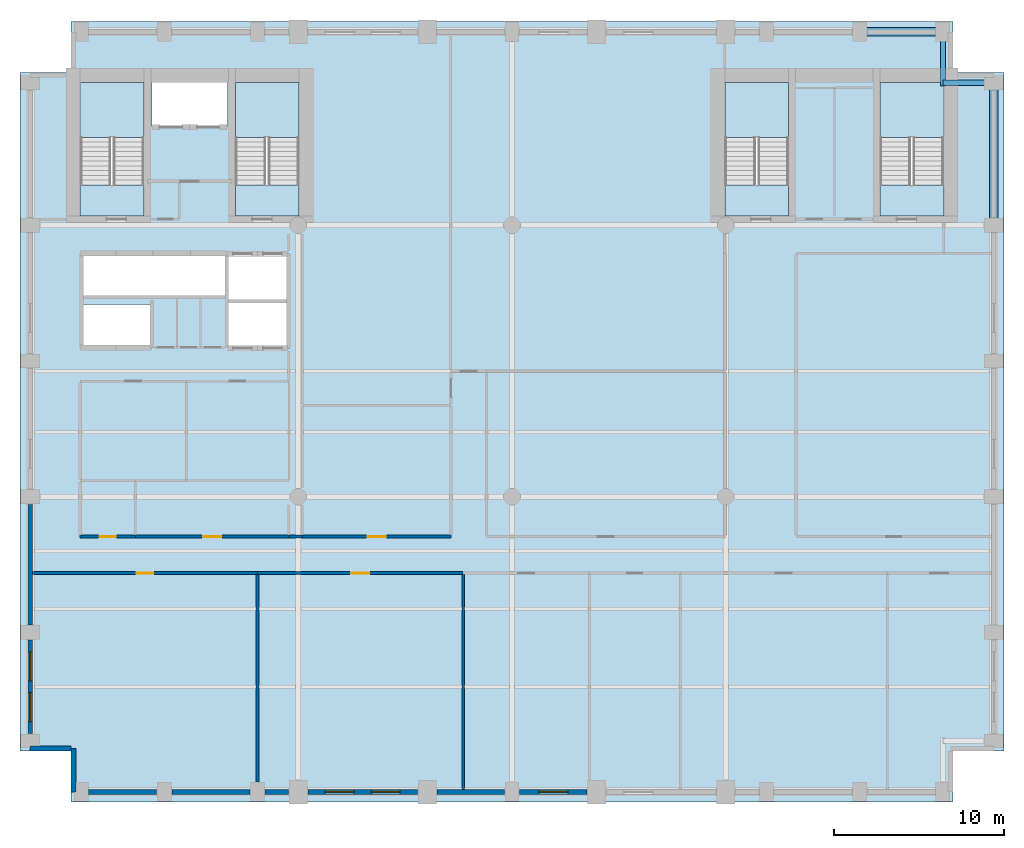
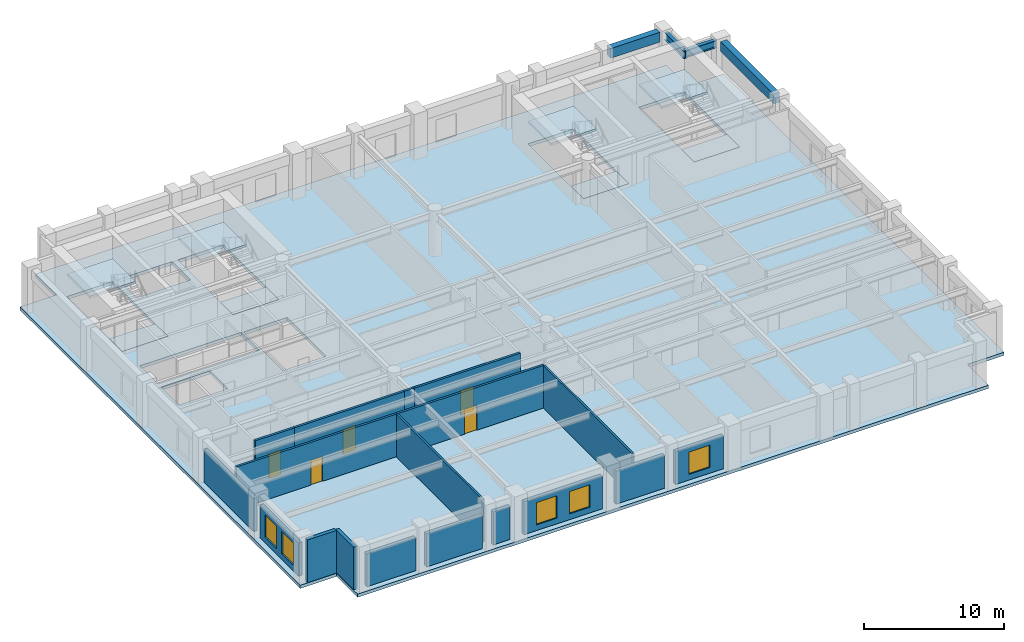
# One storey, part 2 of 8: 18 walls, 9 slabs, 5 doors, 5 windows, 4 beams, 10 openings, 4 elements without a shape of their own.
"""IFC4 building model written with IfcOpenShell, lengths in metres."""

from ifc_helpers import new_model, si_unit, direction, frame, frame_2d, origin, origin_2d, place, context, subcontext, project, spatial, polyline, rectangle, i_section, outline, extrude, material, layer, layer_set, material_profile, profile_set, type_object, element, fill, aggregate, save


model = new_model("IFC4")

# Units and contexts
model_context = context("Model", 3, precision=1e-05, world=origin(), true_north=direction((0.0, 1.0)))
body_context = subcontext(model_context, "Body", "Model", "MODEL_VIEW")
ifc_project = project(units=[si_unit("LENGTHUNIT", "METRE"), si_unit("AREAUNIT", "SQUARE_METRE"), si_unit("VOLUMEUNIT", "CUBIC_METRE"), si_unit("PLANEANGLEUNIT", "RADIAN"), si_unit("MASSUNIT", "GRAM", prefix="KILO")], contexts=[model_context])

# Site, building, storey
site_placement = place(None, origin())
site = spatial("IfcSite", under=ifc_project, at=site_placement, CompositionType="ELEMENT")
building_placement = place(site_placement, origin())
building = spatial("IfcBuilding", under=site, at=building_placement, Name="Sulina Concourse Tower", CompositionType="ELEMENT")
storey_placement = place(building_placement, frame((0.0, 0.0, 112.60009765625)))
storey = spatial("IfcBuildingStorey", under=building, at=storey_placement, Name="L27", CompositionType="ELEMENT", Elevation=112.60009765625)

# Beams
ifc_material_1 = material(Name="Steel S355", Category="steel")
ifc_material_profile_1 = material_profile(ifc_material_1, i_section(OverallWidth=0.300048828125, OverallDepth=0.64990234375, WebThickness=0.01611328125, FlangeThickness=0.031005859375, at=origin_2d()), Name="HE 650 B")
ifc_profile_set_1 = profile_set([ifc_material_profile_1], Name="Steel S355")
beam_type_1 = type_object("IfcBeamType", Name="Floor Primary Girder Zone 2 HE650B", PredefinedType="BEAM", material=ifc_profile_set_1)
beam_1_placement = place(storey_placement, frame((54.39990234375, 42.39990234375, 3.39990234375), z_axis=(1.0, 0.0, 0.0), x_axis=(0.0, 1.0, 0.0)))
element("IfcBeam", 1, at=beam_1_placement, inside=storey, type_object=beam_type_1, Name="TIE-NE-L27", PredefinedType="BEAM", context=body_context, shape_type="SweptSolid", body=[
    extrude(i_section(OverallWidth=0.300048828125, OverallDepth=0.64990234375, WebThickness=0.01611328125, FlangeThickness=0.031005859375, at=origin_2d()), origin(), (0.0, 0.0, 1.0), 2.59521484375),
])
beam_2_placement = place(storey_placement, frame((54.39990234375, 42.199951171875, 3.39990234375), z_axis=(0.0, 1.0, 0.0), x_axis=(-1.0, 0.0, 0.0)))
element("IfcBeam", 2, at=beam_2_placement, inside=storey, type_object=beam_type_1, Name="TIE-NEN-L27", PredefinedType="BEAM", context=body_context, shape_type="SweptSolid", body=[
    extrude(i_section(OverallWidth=0.300048828125, OverallDepth=0.64990234375, WebThickness=0.01611328125, FlangeThickness=0.031005859375, at=origin_2d()), origin(), (0.0, 0.0, 1.0), 2.795166015625),
])
ifc_material_2 = material(Name="Precast concrete C50/60", Category="concrete")
ifc_material_profile_2 = material_profile(ifc_material_2, rectangle(XDim=0.5, YDim=0.85009765625, at=origin_2d()), Name="RC 500x850")
ifc_profile_set_2 = profile_set([ifc_material_profile_2], Name="Precast concrete C50/60")
beam_type_2 = type_object("IfcBeamType", Name="Lower Precast Spandrel Edge Beam 500x850", PredefinedType="BEAM", material=ifc_profile_set_2)
beam_3_placement = place(storey_placement, frame((49.905029296875, 45.39990234375, 3.2998046875), z_axis=(1.0, 0.0, 0.0), x_axis=(0.0, 1.0, 0.0)))
element("IfcBeam", 3, at=beam_3_placement, inside=storey, type_object=beam_type_2, Name="SP-N10-L27", PredefinedType="BEAM", context=body_context, shape_type="SweptSolid", body=[
    extrude(rectangle(XDim=0.5, YDim=0.85009765625, at=origin_2d()), origin(), (0.0, 0.0, 1.0), 4.090087890625),
])
beam_4_placement = place(storey_placement, frame((57.39990234375, 34.405029296875, 3.2998046875), z_axis=(0.0, 1.0, 0.0), x_axis=(-1.0, 0.0, 0.0)))
element("IfcBeam", 4, at=beam_4_placement, inside=storey, type_object=beam_type_2, Name="SP-E5-L27", PredefinedType="BEAM", context=body_context, shape_type="SweptSolid", body=[
    extrude(rectangle(XDim=0.5, YDim=0.85009765625, at=origin_2d()), origin(), (0.0, 0.0, 1.0), 7.590087890625),
])

# Slabs
ifc_material_3 = material(Name="Concrete C50/60", Category="concrete")
ifc_layer_1 = layer(ifc_material_3, 0.27490234375)
ifc_layer_set_1 = layer_set([ifc_layer_1], Name="Concrete C50/60")
slab_type_1 = type_object("IfcSlabType", Name="Mid-Rise Composite Floor Slab 275mm", PredefinedType="FLOOR", material=ifc_layer_set_1)
slab_1_placement = place(storey_placement, frame((0.0, 0.0, -0.275146484375)))
element("IfcSlab", 5, at=slab_1_placement, inside=storey, type_object=slab_type_1, Name="L27 structural floor slab", PredefinedType="FLOOR", context=body_context, shape_type="SweptSolid", body=[
    extrude(outline(polyline([(3.0, 0.0), (55.0, 0.0), (55.0, 3.0), (58.0, 3.0), (58.0, 43.0), (55.0, 43.0), (55.0, 46.0), (3.0, 46.0), (3.0, 43.0), (0.0, 43.0), (0.0, 3.0), (3.0, 3.0), (3.0, 0.0)]), holes=[polyline([(7.31005859375, 34.550048828125), (7.31005859375, 42.429931640625), (3.550048828125, 42.429931640625), (3.550048828125, 34.550048828125), (7.31005859375, 34.550048828125)]), polyline([(16.449951171875, 34.550048828125), (16.449951171875, 42.429931640625), (12.68994140625, 42.429931640625), (12.68994140625, 34.550048828125), (16.449951171875, 34.550048828125)]), polyline([(45.31005859375, 34.550048828125), (45.31005859375, 42.429931640625), (41.550048828125, 42.429931640625), (41.550048828125, 34.550048828125), (45.31005859375, 34.550048828125)]), polyline([(54.449951171875, 34.550048828125), (54.449951171875, 42.429931640625), (50.68994140625, 42.429931640625), (50.68994140625, 34.550048828125), (54.449951171875, 34.550048828125)]), polyline([(7.780029296875, 39.830078125), (12.219970703125, 39.830078125), (12.219970703125, 42.449951171875), (7.780029296875, 42.449951171875), (7.780029296875, 39.830078125)]), polyline([(3.739990234375, 26.780029296875), (7.77001953125, 26.780029296875), (7.77001953125, 29.320068359375), (3.739990234375, 29.320068359375), (3.739990234375, 26.780029296875)]), polyline([(3.739990234375, 29.780029296875), (12.10009765625, 29.780029296875), (12.10009765625, 32.3701171875), (3.739990234375, 32.3701171875), (3.739990234375, 29.780029296875)]), polyline([(12.280029296875, 26.780029296875), (15.85009765625, 26.780029296875), (15.85009765625, 32.320068359375), (12.280029296875, 32.320068359375), (12.280029296875, 26.780029296875)])]), origin(), (0.0, 0.0, 1.0), 0.275146484375),
])
ifc_material_4 = material(Name="Concrete C50/60", Category="concrete")
ifc_layer_2 = layer(ifc_material_4, 0.199951171875)
ifc_layer_set_2 = layer_set([ifc_layer_2], Name="Concrete C50/60")
slab_type_2 = type_object("IfcSlabType", Name="Primary Core Stair Landing Slab 200mm", PredefinedType="LANDING", material=ifc_layer_set_2)
slab_2_placement = place(storey_placement, frame((0.0, 0.0, -0.2001953125)))
element("IfcSlab", 6, at=slab_2_placement, inside=storey, type_object=slab_type_2, Name="L27 ST-1 floor landing slab", PredefinedType="LANDING", context=body_context, shape_type="SweptSolid", body=[
    extrude(outline(polyline([(7.31005859375, 34.550048828125), (7.31005859375, 36.375), (3.550048828125, 36.375), (3.550048828125, 34.550048828125), (7.31005859375, 34.550048828125)])), origin(), (0.0, 0.0, 1.0), 0.2001953125),
])
slab_3_placement = place(storey_placement, frame((0.0, 0.0, -0.2001953125)))
element("IfcSlab", 7, at=slab_3_placement, inside=storey, type_object=slab_type_2, Name="L27 ST-2 floor landing slab", PredefinedType="LANDING", context=body_context, shape_type="SweptSolid", body=[
    extrude(outline(polyline([(16.449951171875, 34.550048828125), (16.449951171875, 36.375), (12.68994140625, 36.375), (12.68994140625, 34.550048828125), (16.449951171875, 34.550048828125)])), origin(), (0.0, 0.0, 1.0), 0.2001953125),
])
slab_4_placement = place(storey_placement, frame((0.0, 0.0, -0.2001953125)))
element("IfcSlab", 8, at=slab_4_placement, inside=storey, type_object=slab_type_2, Name="L27 ST-3 floor landing slab", PredefinedType="LANDING", context=body_context, shape_type="SweptSolid", body=[
    extrude(outline(polyline([(45.31005859375, 34.550048828125), (45.31005859375, 36.375), (41.550048828125, 36.375), (41.550048828125, 34.550048828125), (45.31005859375, 34.550048828125)])), origin(), (0.0, 0.0, 1.0), 0.2001953125),
])
slab_5_placement = place(storey_placement, frame((0.0, 0.0, -0.2001953125)))
element("IfcSlab", 9, at=slab_5_placement, inside=storey, type_object=slab_type_2, Name="L27 ST-4 floor landing slab", PredefinedType="LANDING", context=body_context, shape_type="SweptSolid", body=[
    extrude(outline(polyline([(54.449951171875, 34.550048828125), (54.449951171875, 36.375), (50.68994140625, 36.375), (50.68994140625, 34.550048828125), (54.449951171875, 34.550048828125)])), origin(), (0.0, 0.0, 1.0), 0.2001953125),
])

# Stair, slab
ifc_material_5 = material(Name="Concrete C50/60", Category="concrete")
stair_type_1 = type_object("IfcStairType", Name="Primary Core Dog-Leg Exit Stair 1800mm", PredefinedType="HALF_TURN_STAIR", material=ifc_material_5)
stair_1_placement = place(storey_placement, origin())
stair_1 = element("IfcStair", 10, at=stair_1_placement, inside=storey, type_object=stair_type_1, Name="L27 ST-1", PredefinedType="HALF_TURN_STAIR")
slab_6_placement = place(storey_placement, frame((0.0, 0.0, 1.7998046875)))
slab_6 = element("IfcSlab", 11, at=slab_6_placement, type_object=slab_type_2, Name="ST-1 landing 1", PredefinedType="LANDING", context=body_context, shape_type="SweptSolid", body=[
    extrude(outline(polyline([(7.304931640625, 39.175048828125), (7.304931640625, 42.425048828125), (3.554931640625, 42.425048828125), (3.554931640625, 39.175048828125), (7.304931640625, 39.175048828125)])), origin(), (0.0, 0.0, 1.0), 0.2001953125),
])
aggregate(stair_1, [slab_6])

stair_2_placement = place(storey_placement, origin())
stair_2 = element("IfcStair", 12, at=stair_2_placement, inside=storey, type_object=stair_type_1, Name="L27 ST-2", PredefinedType="HALF_TURN_STAIR")
slab_7_placement = place(storey_placement, frame((0.0, 0.0, 1.7998046875)))
slab_7 = element("IfcSlab", 13, at=slab_7_placement, type_object=slab_type_2, Name="ST-2 landing 1", PredefinedType="LANDING", context=body_context, shape_type="SweptSolid", body=[
    extrude(outline(polyline([(16.445068359375, 39.175048828125), (16.445068359375, 42.425048828125), (12.695068359375, 42.425048828125), (12.695068359375, 39.175048828125), (16.445068359375, 39.175048828125)])), origin(), (0.0, 0.0, 1.0), 0.2001953125),
])
aggregate(stair_2, [slab_7])

ifc_material_6 = material(Name="Concrete C50/60", Category="concrete")
stair_type_2 = type_object("IfcStairType", Name="Portal & Podium Core Exit Stair 1820mm", PredefinedType="HALF_TURN_STAIR", material=ifc_material_6)
stair_3_placement = place(storey_placement, origin())
stair_3 = element("IfcStair", 14, at=stair_3_placement, inside=storey, type_object=stair_type_2, Name="L27 ST-3", PredefinedType="HALF_TURN_STAIR")
slab_8_placement = place(storey_placement, frame((0.0, 0.0, 1.7998046875)))
slab_8 = element("IfcSlab", 15, at=slab_8_placement, type_object=slab_type_2, Name="ST-3 landing 1", PredefinedType="LANDING", context=body_context, shape_type="SweptSolid", body=[
    extrude(outline(polyline([(45.304931640625, 39.175048828125), (45.304931640625, 42.425048828125), (41.554931640625, 42.425048828125), (41.554931640625, 39.175048828125), (45.304931640625, 39.175048828125)])), origin(), (0.0, 0.0, 1.0), 0.2001953125),
])
aggregate(stair_3, [slab_8])

stair_4_placement = place(storey_placement, origin())
stair_4 = element("IfcStair", 16, at=stair_4_placement, inside=storey, type_object=stair_type_2, Name="L27 ST-4", PredefinedType="HALF_TURN_STAIR")
slab_9_placement = place(storey_placement, frame((0.0, 0.0, 1.7998046875)))
slab_9 = element("IfcSlab", 17, at=slab_9_placement, type_object=slab_type_2, Name="ST-4 landing 1", PredefinedType="LANDING", context=body_context, shape_type="SweptSolid", body=[
    extrude(outline(polyline([(54.445068359375, 39.175048828125), (54.445068359375, 42.425048828125), (50.695068359375, 42.425048828125), (50.695068359375, 39.175048828125), (54.445068359375, 39.175048828125)])), origin(), (0.0, 0.0, 1.0), 0.2001953125),
])
aggregate(stair_4, [slab_9])

# Walls
ifc_material_7 = material(Name="Gypsum board on steel stud", Category="steel")
ifc_layer_3 = layer(ifc_material_7, 0.14990234375)
ifc_layer_set_3 = layer_set([ifc_layer_3], Name="Gypsum board on steel stud")
wall_type_1 = type_object("IfcWallType", Name="Inter-Tenancy Acoustic Partition 150mm", PredefinedType="PARTITIONING", material=ifc_layer_set_3)
wall_1_placement = place(storey_placement, frame((14.0, 1.175048828125, 0.0), z_axis=(0.0, 0.0, 1.0), x_axis=(0.0, 1.0, 0.0)))
element("IfcWall", 18, at=wall_1_placement, inside=storey, type_object=wall_type_1, Name="L27 interior partition 037", PredefinedType="PARTITIONING", context=body_context, shape_type="SweptSolid", body=[
    extrude(rectangle(XDim=12.23486328125, YDim=0.14990234375, at=frame_2d((6.117431640625, 0.0))), origin(), (0.0, 0.0, 1.0), 3.724853515625),
])
wall_2_placement = place(storey_placement, frame((26.1201171875, 0.739990234375, 0.0), z_axis=(0.0, 0.0, 1.0), x_axis=(0.0, 1.0, 0.0)))
element("IfcWall", 19, at=wall_2_placement, inside=storey, type_object=wall_type_1, Name="L27 interior partition 048", PredefinedType="PARTITIONING", context=body_context, shape_type="SweptSolid", body=[
    extrude(rectangle(XDim=12.669921875, YDim=0.14990234375, at=frame_2d((6.3349609375, 0.0))), origin(), (0.0, 0.0, 1.0), 3.724853515625),
])

# Wall, opening, door
ifc_material_8 = material(Name="Gypsum board on steel stud", Category="steel")
ifc_layer_4 = layer(ifc_material_8, 0.179931640625)
ifc_layer_set_4 = layer_set([ifc_layer_4], Name="Gypsum board on steel stud")
wall_type_2 = type_object("IfcWallType", Name="Protected Corridor & Riser Partition 180mm", PredefinedType="PARTITIONING", material=ifc_layer_set_4)
wall_3_placement = place(storey_placement, frame((0.739990234375, 13.5, 0.0), z_axis=(0.0, 0.0, 1.0), x_axis=(1.0, 0.0, 0.0)))
wall_3 = element("IfcWall", 20, at=wall_3_placement, inside=storey, type_object=wall_type_2, Name="L27 interior partition 001", PredefinedType="PARTITIONING", context=body_context, shape_type="SweptSolid", body=[
    extrude(rectangle(XDim=13.260009765625, YDim=0.179931640625, at=frame_2d((6.6298828125, 0.0))), origin(), (0.0, 0.0, 1.0), 3.724853515625),
])
opening_1_placement = place(wall_3_placement, frame((6.155029296875, 0.0, 0.0)))
opening_1 = element("IfcOpeningElement", 21, at=opening_1_placement, cuts=wall_3, Name="Opening DR-19", PredefinedType="OPENING", context=body_context, shape_type="SweptSolid", body=[
    extrude(rectangle(XDim=0.949951171875, YDim=2.14990234375, at=frame_2d((0.47509765625, 1.074951171875))), frame((0.0, 0.099853515625, 0.0), z_axis=(0.0, -1.0, 0.0), x_axis=(1.0, 0.0, 0.0)), (0.0, 0.0, 1.0), 0.199951171875),
])
ifc_material_9 = material(Name="Oak-veneered acoustic timber leaf", Category="wood")
ifc_layer_5 = layer(ifc_material_9, 0.050048828125)
ifc_layer_set_5 = layer_set([ifc_layer_5], Name="Oak-veneered acoustic timber leaf")
door_type_1 = type_object("IfcDoorType", Name="Cellular Office & Meeting Door 950x2150", OperationType="NOTDEFINED", PredefinedType="DOOR", material=ifc_layer_set_5)
door_1_placement = place(opening_1_placement, origin())
door_1 = element("IfcDoor", 22, at=door_1_placement, inside=storey, type_object=door_type_1, Name="L27 interior door L27-S01", OperationType="SINGLE_SWING_LEFT", OverallHeight=2.14990234375, OverallWidth=0.949951171875, PredefinedType="DOOR", context=body_context, shape_type="SweptSolid", body=[
    extrude(rectangle(XDim=0.949951171875, YDim=2.14990234375, at=frame_2d((0.47509765625, 1.074951171875))), frame((0.0, 0.02490234375, 0.0), z_axis=(0.0, -1.0, 0.0), x_axis=(1.0, 0.0, 0.0)), (0.0, 0.0, 1.0), 0.050048828125),
])
fill(opening_1, door_1)

wall_4_placement = place(storey_placement, frame((14.0, 13.5, 0.0), z_axis=(0.0, 0.0, 1.0), x_axis=(1.0, 0.0, 0.0)))
wall_4 = element("IfcWall", 23, at=wall_4_placement, inside=storey, type_object=wall_type_2, Name="L27 interior partition 002", PredefinedType="PARTITIONING", context=body_context, shape_type="SweptSolid", body=[
    extrude(rectangle(XDim=12.1201171875, YDim=0.179931640625, at=frame_2d((6.06005859375, 0.0))), origin(), (0.0, 0.0, 1.0), 3.724853515625),
])
opening_2_placement = place(wall_4_placement, frame((5.534912109375, 0.0, 0.0)))
opening_2 = element("IfcOpeningElement", 24, at=opening_2_placement, cuts=wall_4, Name="Opening DR-37", PredefinedType="OPENING", context=body_context, shape_type="SweptSolid", body=[
    extrude(rectangle(XDim=1.050048828125, YDim=2.14990234375, at=frame_2d((0.52490234375, 1.074951171875))), frame((0.0, 0.099853515625, 0.0), z_axis=(0.0, -1.0, 0.0), x_axis=(1.0, 0.0, 0.0)), (0.0, 0.0, 1.0), 0.199951171875),
])
ifc_material_10 = material(Name="Oak-veneered fire door leaf")
ifc_layer_6 = layer(ifc_material_10, 0.050048828125)
ifc_layer_set_6 = layer_set([ifc_layer_6], Name="Oak-veneered fire door leaf")
door_type_2 = type_object("IfcDoorType", Name="Tenant Suite Entrance Fire Door 1050x2150", OperationType="NOTDEFINED", PredefinedType="DOOR", material=ifc_layer_set_6)
door_2_placement = place(opening_2_placement, origin())
door_2 = element("IfcDoor", 25, at=door_2_placement, inside=storey, type_object=door_type_2, Name="L27 interior door L27-S02", OperationType="SINGLE_SWING_RIGHT", OverallHeight=2.14990234375, OverallWidth=1.050048828125, PredefinedType="DOOR", context=body_context, shape_type="SweptSolid", body=[
    extrude(rectangle(XDim=1.050048828125, YDim=2.14990234375, at=frame_2d((0.52490234375, 1.074951171875))), frame((0.0, 0.02490234375, 0.0), z_axis=(0.0, -1.0, 0.0), x_axis=(1.0, 0.0, 0.0)), (0.0, 0.0, 1.0), 0.050048828125),
])
fill(opening_2, door_2)

wall_5_placement = place(storey_placement, frame((3.550048828125, 15.64990234375, 0.0), z_axis=(0.0, 0.0, 1.0), x_axis=(1.0, 0.0, 0.0)))
wall_5 = element("IfcWall", 26, at=wall_5_placement, inside=storey, type_object=wall_type_2, Name="L27 interior partition 007", PredefinedType="PARTITIONING", context=body_context, shape_type="SweptSolid", body=[
    extrude(rectangle(XDim=3.25, YDim=0.179931640625, at=frame_2d((1.625, 0.0))), origin(), (0.0, 0.0, 1.0), 3.724853515625),
])
opening_3_placement = place(wall_5_placement, frame((1.14990234375, 0.0, 0.0)))
opening_3 = element("IfcOpeningElement", 27, at=opening_3_placement, cuts=wall_5, Name="Opening DR-19", PredefinedType="OPENING", context=body_context, shape_type="SweptSolid", body=[
    extrude(rectangle(XDim=0.949951171875, YDim=2.14990234375, at=frame_2d((0.47509765625, 1.074951171875))), frame((0.0, 0.099853515625, 0.0), z_axis=(0.0, -1.0, 0.0), x_axis=(1.0, 0.0, 0.0)), (0.0, 0.0, 1.0), 0.199951171875),
])
door_3_placement = place(opening_3_placement, origin())
door_3 = element("IfcDoor", 28, at=door_3_placement, inside=storey, type_object=door_type_1, Name="L27 interior door L27-WSB-1", OperationType="SINGLE_SWING_LEFT", OverallHeight=2.14990234375, OverallWidth=0.949951171875, PredefinedType="DOOR", context=body_context, shape_type="SweptSolid", body=[
    extrude(rectangle(XDim=0.949951171875, YDim=2.14990234375, at=frame_2d((0.47509765625, 1.074951171875))), frame((0.0, 0.02490234375, 0.0), z_axis=(0.0, -1.0, 0.0), x_axis=(1.0, 0.0, 0.0)), (0.0, 0.0, 1.0), 0.050048828125),
])
fill(opening_3, door_3)

wall_6_placement = place(storey_placement, frame((6.800048828125, 15.64990234375, 0.0), z_axis=(0.0, 0.0, 1.0), x_axis=(1.0, 0.0, 0.0)))
wall_6 = element("IfcWall", 29, at=wall_6_placement, inside=storey, type_object=wall_type_2, Name="L27 interior partition 008", PredefinedType="PARTITIONING", context=body_context, shape_type="SweptSolid", body=[
    extrude(rectangle(XDim=9.050048828125, YDim=0.179931640625, at=frame_2d((4.52490234375, 0.0))), origin(), (0.0, 0.0, 1.0), 3.724853515625),
])
opening_4_placement = place(wall_6_placement, frame((4.0, 0.0, 0.0)))
opening_4 = element("IfcOpeningElement", 30, at=opening_4_placement, cuts=wall_6, Name="Opening DR-37", PredefinedType="OPENING", context=body_context, shape_type="SweptSolid", body=[
    extrude(rectangle(XDim=1.050048828125, YDim=2.14990234375, at=frame_2d((0.52490234375, 1.074951171875))), frame((0.0, 0.099853515625, 0.0), z_axis=(0.0, -1.0, 0.0), x_axis=(1.0, 0.0, 0.0)), (0.0, 0.0, 1.0), 0.199951171875),
])
door_4_placement = place(opening_4_placement, origin())
door_4 = element("IfcDoor", 31, at=door_4_placement, inside=storey, type_object=door_type_2, Name="L27 interior door L27-WSB-2", OperationType="SINGLE_SWING_RIGHT", OverallHeight=2.14990234375, OverallWidth=1.050048828125, PredefinedType="DOOR", context=body_context, shape_type="SweptSolid", body=[
    extrude(rectangle(XDim=1.050048828125, YDim=2.14990234375, at=frame_2d((0.52490234375, 1.074951171875))), frame((0.0, 0.02490234375, 0.0), z_axis=(0.0, -1.0, 0.0), x_axis=(1.0, 0.0, 0.0)), (0.0, 0.0, 1.0), 0.050048828125),
])
fill(opening_4, door_4)

# Wall
wall_7_placement = place(storey_placement, frame((15.85009765625, 15.64990234375, 0.0), z_axis=(0.0, 0.0, 1.0), x_axis=(1.0, 0.0, 0.0)))
element("IfcWall", 32, at=wall_7_placement, inside=storey, type_object=wall_type_2, Name="L27 interior partition 009", PredefinedType="PARTITIONING", context=body_context, shape_type="SweptSolid", body=[
    extrude(rectangle(XDim=0.7998046875, YDim=0.179931640625, at=frame_2d((0.39990234375, 0.0))), origin(), (0.0, 0.0, 1.0), 3.724853515625),
])

# Wall, opening, door
wall_8_placement = place(storey_placement, frame((16.64990234375, 15.64990234375, 0.0), z_axis=(0.0, 0.0, 1.0), x_axis=(1.0, 0.0, 0.0)))
wall_8 = element("IfcWall", 33, at=wall_8_placement, inside=storey, type_object=wall_type_2, Name="L27 interior partition 010", PredefinedType="PARTITIONING", context=body_context, shape_type="SweptSolid", body=[
    extrude(rectangle(XDim=8.75, YDim=0.179931640625, at=frame_2d((4.375, 0.0))), origin(), (0.0, 0.0, 1.0), 3.724853515625),
])
opening_5_placement = place(wall_8_placement, frame((3.85009765625, 0.0, 0.0)))
opening_5 = element("IfcOpeningElement", 34, at=opening_5_placement, cuts=wall_8, Name="Opening DR-37", PredefinedType="OPENING", context=body_context, shape_type="SweptSolid", body=[
    extrude(rectangle(XDim=1.050048828125, YDim=2.14990234375, at=frame_2d((0.52490234375, 1.074951171875))), frame((0.0, 0.099853515625, 0.0), z_axis=(0.0, -1.0, 0.0), x_axis=(1.0, 0.0, 0.0)), (0.0, 0.0, 1.0), 0.199951171875),
])
door_5_placement = place(opening_5_placement, origin())
door_5 = element("IfcDoor", 35, at=door_5_placement, inside=storey, type_object=door_type_2, Name="L27 interior door L27-NC1", OperationType="SINGLE_SWING_LEFT", OverallHeight=2.14990234375, OverallWidth=1.050048828125, PredefinedType="DOOR", context=body_context, shape_type="SweptSolid", body=[
    extrude(rectangle(XDim=1.050048828125, YDim=2.14990234375, at=frame_2d((0.52490234375, 1.074951171875))), frame((0.0, 0.02490234375, 0.0), z_axis=(0.0, -1.0, 0.0), x_axis=(1.0, 0.0, 0.0)), (0.0, 0.0, 1.0), 0.050048828125),
])
fill(opening_5, door_5)

# Walls
ifc_material_11 = material(Name="Precast concrete C50/60", Category="concrete")
ifc_layer_7 = layer(ifc_material_11, 0.280029296875)
ifc_layer_set_7 = layer_set([ifc_layer_7], Name="Precast concrete C50/60")
wall_type_3 = type_object("IfcWallType", Name="Typical Precast Masonry-Frame Facade Wall 280mm", PredefinedType="SOLIDWALL", material=ifc_layer_set_7)
wall_9_placement = place(storey_placement, frame((8.054931640625, 0.60009765625, 0.0), z_axis=(0.0, 0.0, 1.0), x_axis=(-1.0, 0.0, 0.0)))
element("IfcWall", 36, at=wall_9_placement, inside=storey, type_object=wall_type_3, Name="L27 exterior precast wall S1", PredefinedType="SOLIDWALL", context=body_context, shape_type="SweptSolid", body=[
    extrude(rectangle(XDim=4.010009765625, YDim=0.280029296875, at=frame_2d((2.0048828125, 0.0))), origin(), (0.0, 0.0, 1.0), 2.875),
])
wall_10_placement = place(storey_placement, frame((13.554931640625, 0.60009765625, 0.0), z_axis=(0.0, 0.0, 1.0), x_axis=(-1.0, 0.0, 0.0)))
element("IfcWall", 37, at=wall_10_placement, inside=storey, type_object=wall_type_3, Name="L27 exterior precast wall S2", PredefinedType="SOLIDWALL", context=body_context, shape_type="SweptSolid", body=[
    extrude(rectangle(XDim=4.60986328125, YDim=0.280029296875, at=frame_2d((2.304931640625, 0.0))), origin(), (0.0, 0.0, 1.0), 2.875),
])
wall_11_placement = place(storey_placement, frame((15.830078125, 0.60009765625, 0.0), z_axis=(0.0, 0.0, 1.0), x_axis=(-1.0, 0.0, 0.0)))
element("IfcWall", 38, at=wall_11_placement, inside=storey, type_object=wall_type_3, Name="L27 exterior precast wall S3", PredefinedType="SOLIDWALL", context=body_context, shape_type="SweptSolid", body=[
    extrude(rectangle(XDim=1.385009765625, YDim=0.280029296875, at=frame_2d((0.6923828125, 0.0))), origin(), (0.0, 0.0, 1.0), 2.875),
])

# Wall, openings, windows
wall_12_placement = place(storey_placement, frame((23.429931640625, 0.60009765625, 0.0), z_axis=(0.0, 0.0, 1.0), x_axis=(-1.0, 0.0, 0.0)))
wall_12 = element("IfcWall", 39, at=wall_12_placement, inside=storey, type_object=wall_type_3, Name="L27 exterior precast wall S4", PredefinedType="SOLIDWALL", context=body_context, shape_type="SweptSolid", body=[
    extrude(rectangle(XDim=6.4599609375, YDim=0.280029296875, at=frame_2d((3.22998046875, 0.0))), origin(), (0.0, 0.0, 1.0), 2.875),
])
opening_6_placement = place(wall_12_placement, frame((1.02001953125, 0.0, 0.5)))
opening_6 = element("IfcOpeningElement", 40, at=opening_6_placement, cuts=wall_12, Name="Opening WN-66", PredefinedType="OPENING", context=body_context, shape_type="SweptSolid", body=[
    extrude(rectangle(XDim=1.699951171875, YDim=1.949951171875, at=frame_2d((0.85009765625, 0.97509765625))), frame((0.0, 0.14990234375, 0.0), z_axis=(0.0, -1.0, 0.0), x_axis=(1.0, 0.0, 0.0)), (0.0, 0.0, 1.0), 0.300048828125),
])
opening_7_placement = place(wall_12_placement, frame((3.739990234375, 0.0, 0.5)))
opening_7 = element("IfcOpeningElement", 41, at=opening_7_placement, cuts=wall_12, Name="Opening WN-66", PredefinedType="OPENING", context=body_context, shape_type="SweptSolid", body=[
    extrude(rectangle(XDim=1.699951171875, YDim=1.949951171875, at=frame_2d((0.85009765625, 0.97509765625))), frame((0.0, 0.14990234375, 0.0), z_axis=(0.0, -1.0, 0.0), x_axis=(1.0, 0.0, 0.0)), (0.0, 0.0, 1.0), 0.300048828125),
])
ifc_material_12 = material(Name="Low-E solar double glazing in bronze aluminium", Category="aluminium")
window_type = type_object("IfcWindowType", Name="Recessed Spandrel Window 1700x1950", PartitioningType="SINGLE_PANEL", PredefinedType="WINDOW", material=ifc_material_12)
window_1_placement = place(opening_6_placement, origin())
window_1 = element("IfcWindow", 42, at=window_1_placement, inside=storey, type_object=window_type, Name="L27 punched window S4-1", OverallHeight=1.949951171875, OverallWidth=1.699951171875, PartitioningType="SINGLE_PANEL", PredefinedType="WINDOW", context=body_context, shape_type="SweptSolid", body=[
    extrude(rectangle(XDim=1.699951171875, YDim=1.949951171875, at=frame_2d((0.85009765625, 0.97509765625))), frame((0.0, 0.030029296875, 0.0), z_axis=(0.0, -1.0, 0.0), x_axis=(1.0, 0.0, 0.0)), (0.0, 0.0, 1.0), 0.06005859375),
])
fill(opening_6, window_1)
window_2_placement = place(opening_7_placement, origin())
window_2 = element("IfcWindow", 43, at=window_2_placement, inside=storey, type_object=window_type, Name="L27 punched window S4-2", OverallHeight=1.949951171875, OverallWidth=1.699951171875, PartitioningType="SINGLE_PANEL", PredefinedType="WINDOW", context=body_context, shape_type="SweptSolid", body=[
    extrude(rectangle(XDim=1.699951171875, YDim=1.949951171875, at=frame_2d((0.85009765625, 0.97509765625))), frame((0.0, 0.030029296875, 0.0), z_axis=(0.0, -1.0, 0.0), x_axis=(1.0, 0.0, 0.0)), (0.0, 0.0, 1.0), 0.06005859375),
])
fill(opening_7, window_2)

# Wall
wall_13_placement = place(storey_placement, frame((28.554931640625, 0.60009765625, 0.0), z_axis=(0.0, 0.0, 1.0), x_axis=(-1.0, 0.0, 0.0)))
element("IfcWall", 44, at=wall_13_placement, inside=storey, type_object=wall_type_3, Name="L27 exterior precast wall S5", PredefinedType="SOLIDWALL", context=body_context, shape_type="SweptSolid", body=[
    extrude(rectangle(XDim=3.98486328125, YDim=0.280029296875, at=frame_2d((1.992431640625, 0.0))), origin(), (0.0, 0.0, 1.0), 2.875),
])

# Wall, opening, window
wall_14_placement = place(storey_placement, frame((33.429931640625, 0.60009765625, 0.0), z_axis=(0.0, 0.0, 1.0), x_axis=(-1.0, 0.0, 0.0)))
wall_14 = element("IfcWall", 45, at=wall_14_placement, inside=storey, type_object=wall_type_3, Name="L27 exterior precast wall S6", PredefinedType="SOLIDWALL", context=body_context, shape_type="SweptSolid", body=[
    extrude(rectangle(XDim=3.98486328125, YDim=0.280029296875, at=frame_2d((1.992431640625, 0.0))), origin(), (0.0, 0.0, 1.0), 2.875),
])
opening_8_placement = place(wall_14_placement, frame((1.142578125, 0.0, 0.5)))
opening_8 = element("IfcOpeningElement", 46, at=opening_8_placement, cuts=wall_14, Name="Opening WN-66", PredefinedType="OPENING", context=body_context, shape_type="SweptSolid", body=[
    extrude(rectangle(XDim=1.699951171875, YDim=1.949951171875, at=frame_2d((0.85009765625, 0.97509765625))), frame((0.0, 0.14990234375, 0.0), z_axis=(0.0, -1.0, 0.0), x_axis=(1.0, 0.0, 0.0)), (0.0, 0.0, 1.0), 0.300048828125),
])
window_3_placement = place(opening_8_placement, origin())
window_3 = element("IfcWindow", 47, at=window_3_placement, inside=storey, type_object=window_type, Name="L27 punched window S6-1", OverallHeight=1.949951171875, OverallWidth=1.699951171875, PartitioningType="SINGLE_PANEL", PredefinedType="WINDOW", context=body_context, shape_type="SweptSolid", body=[
    extrude(rectangle(XDim=1.699951171875, YDim=1.949951171875, at=frame_2d((0.85009765625, 0.97509765625))), frame((0.0, 0.030029296875, 0.0), z_axis=(0.0, -1.0, 0.0), x_axis=(1.0, 0.0, 0.0)), (0.0, 0.0, 1.0), 0.06005859375),
])
fill(opening_8, window_3)

# Wall, openings, windows
wall_15_placement = place(storey_placement, frame((0.60009765625, 4.044921875, 0.0), z_axis=(0.0, 0.0, 1.0), x_axis=(0.0, 1.0, 0.0)))
wall_15 = element("IfcWall", 48, at=wall_15_placement, inside=storey, type_object=wall_type_3, Name="L27 exterior precast wall W1", PredefinedType="SOLIDWALL", context=body_context, shape_type="SweptSolid", body=[
    extrude(rectangle(XDim=5.510009765625, YDim=0.280029296875, at=frame_2d((2.7548828125, 0.0))), origin(), (0.0, 0.0, 1.0), 2.875),
])
opening_9_placement = place(wall_15_placement, frame((0.703369140625, 0.0, 0.5)))
opening_9 = element("IfcOpeningElement", 49, at=opening_9_placement, cuts=wall_15, Name="Opening WN-66", PredefinedType="OPENING", context=body_context, shape_type="SweptSolid", body=[
    extrude(rectangle(XDim=1.699951171875, YDim=1.949951171875, at=frame_2d((0.85009765625, 0.97509765625))), frame((0.0, 0.14990234375, 0.0), z_axis=(0.0, -1.0, 0.0), x_axis=(1.0, 0.0, 0.0)), (0.0, 0.0, 1.0), 0.300048828125),
])
opening_10_placement = place(wall_15_placement, frame((3.106689453125, 0.0, 0.5)))
opening_10 = element("IfcOpeningElement", 50, at=opening_10_placement, cuts=wall_15, Name="Opening WN-66", PredefinedType="OPENING", context=body_context, shape_type="SweptSolid", body=[
    extrude(rectangle(XDim=1.699951171875, YDim=1.949951171875, at=frame_2d((0.85009765625, 0.97509765625))), frame((0.0, 0.14990234375, 0.0), z_axis=(0.0, -1.0, 0.0), x_axis=(1.0, 0.0, 0.0)), (0.0, 0.0, 1.0), 0.300048828125),
])
window_4_placement = place(opening_9_placement, origin())
window_4 = element("IfcWindow", 51, at=window_4_placement, inside=storey, type_object=window_type, Name="L27 punched window W1-1", OverallHeight=1.949951171875, OverallWidth=1.699951171875, PartitioningType="SINGLE_PANEL", PredefinedType="WINDOW", context=body_context, shape_type="SweptSolid", body=[
    extrude(rectangle(XDim=1.699951171875, YDim=1.949951171875, at=frame_2d((0.85009765625, 0.97509765625))), frame((0.0, 0.030029296875, 0.0), z_axis=(0.0, -1.0, 0.0), x_axis=(1.0, 0.0, 0.0)), (0.0, 0.0, 1.0), 0.06005859375),
])
fill(opening_9, window_4)
window_5_placement = place(opening_10_placement, origin())
window_5 = element("IfcWindow", 52, at=window_5_placement, inside=storey, type_object=window_type, Name="L27 punched window W1-2", OverallHeight=1.949951171875, OverallWidth=1.699951171875, PartitioningType="SINGLE_PANEL", PredefinedType="WINDOW", context=body_context, shape_type="SweptSolid", body=[
    extrude(rectangle(XDim=1.699951171875, YDim=1.949951171875, at=frame_2d((0.85009765625, 0.97509765625))), frame((0.0, 0.030029296875, 0.0), z_axis=(0.0, -1.0, 0.0), x_axis=(1.0, 0.0, 0.0)), (0.0, 0.0, 1.0), 0.06005859375),
])
fill(opening_10, window_5)

# Walls
wall_16_placement = place(storey_placement, frame((0.60009765625, 10.445068359375, 0.0), z_axis=(0.0, 0.0, 1.0), x_axis=(0.0, 1.0, 0.0)))
element("IfcWall", 53, at=wall_16_placement, inside=storey, type_object=wall_type_3, Name="L27 exterior precast wall W2", PredefinedType="SOLIDWALL", context=body_context, shape_type="SweptSolid", body=[
    extrude(rectangle(XDim=7.10986328125, YDim=0.280029296875, at=frame_2d((3.554931640625, 0.0))), origin(), (0.0, 0.0, 1.0), 2.875),
])
wall_17_placement = place(storey_placement, frame((3.155029296875, 0.60009765625, 0.0), z_axis=(0.0, 0.0, 1.0), x_axis=(0.0, 1.0, 0.0)))
element("IfcWall", 54, at=wall_17_placement, inside=storey, type_object=wall_type_3, Name="L27 exterior precast wall CSW1", PredefinedType="SOLIDWALL", context=body_context, shape_type="SweptSolid", body=[
    extrude(rectangle(XDim=2.554931640625, YDim=0.280029296875, at=frame_2d((1.27734375, 0.0))), origin(), (0.0, 0.0, 1.0), 3.724853515625),
])
wall_18_placement = place(storey_placement, frame((3.010009765625, 3.155029296875, 0.0), z_axis=(0.0, 0.0, 1.0), x_axis=(-1.0, 0.0, 0.0)))
element("IfcWall", 55, at=wall_18_placement, inside=storey, type_object=wall_type_3, Name="L27 exterior precast wall CSW2", PredefinedType="SOLIDWALL", context=body_context, shape_type="SweptSolid", body=[
    extrude(rectangle(XDim=2.409912109375, YDim=0.280029296875, at=frame_2d((1.205078125, 0.0))), origin(), (0.0, 0.0, 1.0), 3.724853515625),
])

save(model, "model.ifc")
